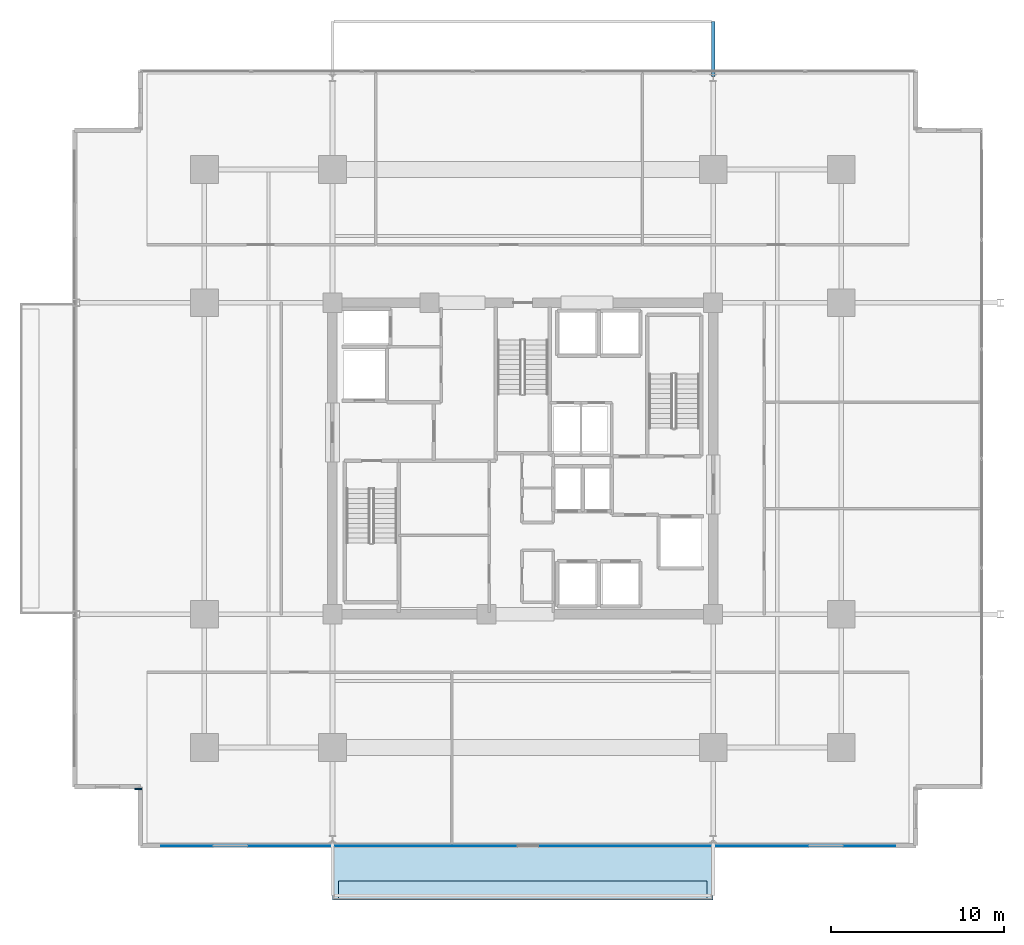
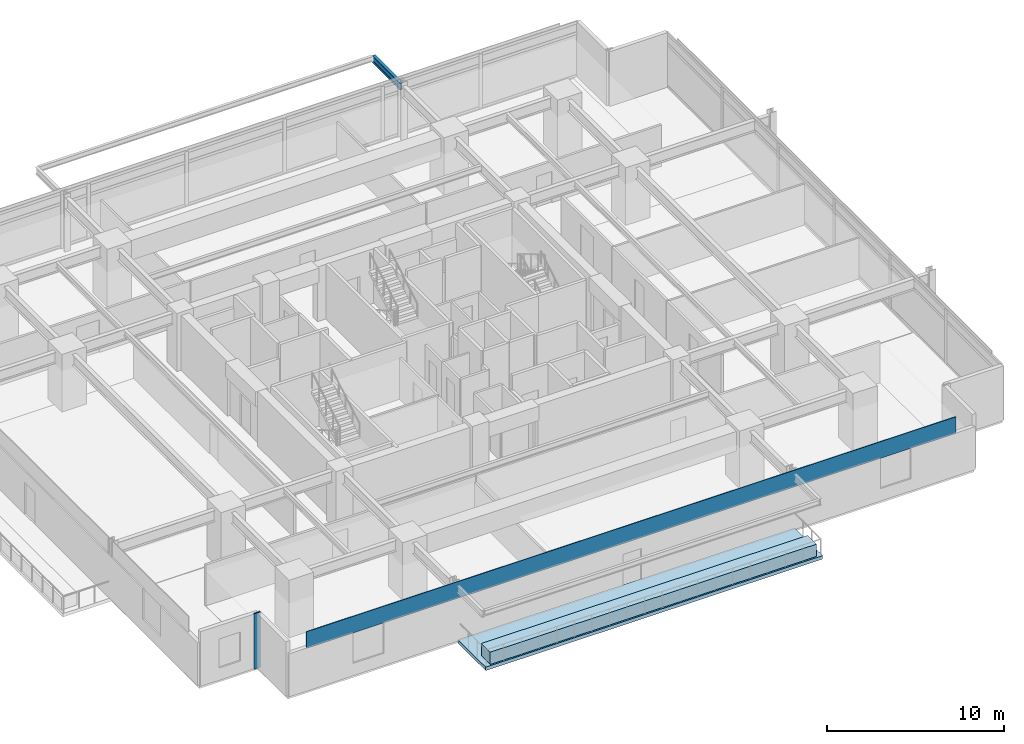
# One storey, part 13 of 24: 2 plates, 2 slabs, 1 beam.
"""IFC4 building model written with IfcOpenShell, lengths in metres."""

from ifc_helpers import new_model, si_unit, direction, frame, origin, origin_2d, place, context, subcontext, project, spatial, polyline, rectangle, i_section, outline, extrude, material, layer, layer_set, material_profile, profile_set, type_object, element, save


model = new_model("IFC4")

# Units and contexts
model_context = context("Model", 3, precision=1e-05, world=origin(), true_north=direction((0.0, 1.0)))
body_context = subcontext(model_context, "Body", "Model", "MODEL_VIEW")
ifc_project = project(units=[si_unit("LENGTHUNIT", "METRE"), si_unit("AREAUNIT", "SQUARE_METRE"), si_unit("VOLUMEUNIT", "CUBIC_METRE"), si_unit("PLANEANGLEUNIT", "RADIAN"), si_unit("MASSUNIT", "GRAM", prefix="KILO")], contexts=[model_context])

# Site, building, storey
site_placement = place(None, origin())
site = spatial("IfcSite", under=ifc_project, at=site_placement, CompositionType="ELEMENT")
building_placement = place(site_placement, origin())
building = spatial("IfcBuilding", under=site, at=building_placement, Name="Kovane Verandah Tower", CompositionType="ELEMENT")
storey_placement = place(building_placement, frame((0.0, 0.0, 144.39990234375)))
storey = spatial("IfcBuildingStorey", under=building, at=storey_placement, Name="L33", CompositionType="ELEMENT", Elevation=144.39990234375)

# Beam
ifc_material_1 = material(Name="Steel S355", Category="steel")
ifc_material_profile = material_profile(ifc_material_1, i_section(OverallWidth=0.19287109375, OverallDepth=0.46728515625, WebThickness=0.011474609375, FlangeThickness=0.01953125, FilletRadius=0.01025390625, at=origin_2d()), Name="UB457x191x98")
ifc_profile_set = profile_set([ifc_material_profile], Name="Steel S355")
beam_type = type_object("IfcBeamType", Name="JST-UB457x98", PredefinedType="JOIST", material=ifc_profile_set)
beam_placement = place(storey_placement, frame((51.0, 49.580078125, 3.526611328125), z_axis=(0.0, 1.0, 0.0), x_axis=(-1.0, 0.0, 0.0)))
element("IfcBeam", 1, at=beam_placement, inside=storey, type_object=beam_type, Name="L33 North Planter Girder 2", PredefinedType="JOIST", context=body_context, shape_type="SweptSolid", body=[
    extrude(i_section(OverallWidth=0.19287109375, OverallDepth=0.46728515625, WebThickness=0.011474609375, FlangeThickness=0.01953125, FilletRadius=0.01025390625, at=origin_2d()), origin(), (0.0, 0.0, 1.0), 3.173583984375),
])

# Plates
ifc_material_2 = material(Name="Timber-Toned Subtropical Aluminium Vertical Blade", Category="wood")
ifc_layer_1 = layer(ifc_material_2, 0.090087890625)
ifc_layer_set_1 = layer_set([ifc_layer_1], Name="Timber-Toned Subtropical Aluminium Vertical Blade")
plate_type_1 = type_object("IfcPlateType", Name="PL-FIN-90", PredefinedType="USERDEFINED", material=ifc_layer_set_1)
plate_1_placement = place(storey_placement, frame((17.77294921875, 8.405029296875, -0.019775390625), z_axis=(0.0, 0.0, 1.0), x_axis=(1.0, 0.0, 0.0)))
element("IfcPlate", 2, at=plate_1_placement, inside=storey, type_object=plate_type_1, Name="L33 SW Timber-Toned Vertical Corner Fin", ObjectType="FIN", PredefinedType="USERDEFINED", context=body_context, shape_type="SweptSolid", body=[
    extrude(rectangle(XDim=0.419921875, YDim=0.090087890625, at=origin_2d()), origin(), (0.0, 0.0, 1.0), 3.8349609375),
])
ifc_material_3 = material(Name="Perforated Pale Champagne Anodised Aluminium Solar Screen", Category="aluminium")
ifc_layer_2 = layer(ifc_material_3, 0.050048828125)
ifc_layer_set_2 = layer_set([ifc_layer_2], Name="Perforated Pale Champagne Anodised Aluminium Solar Screen")
plate_type_2 = type_object("IfcPlateType", Name="PL-SCREEN-50", PredefinedType="USERDEFINED", material=ifc_layer_set_2)
plate_2_placement = place(storey_placement, frame((40.303466796875, 5.110107421875, 2.875244140625), z_axis=(0.0, 0.0, 1.0), x_axis=(1.0, 0.0, 0.0)))
element("IfcPlate", 3, at=plate_2_placement, inside=storey, type_object=plate_type_2, Name="L33 S Perforated Champagne-Gold Solar Screen", ObjectType="SCREEN", PredefinedType="USERDEFINED", context=body_context, shape_type="SweptSolid", body=[
    extrude(rectangle(XDim=42.4208984375, YDim=0.050048828125, at=origin_2d()), origin(), (0.0, 0.0, 1.0), 1.14990234375),
])

# Slabs
ifc_material_4 = material(Name="Concrete C45/55", Category="concrete")
ifc_layer_3 = layer(ifc_material_4, 0.239990234375)
ifc_layer_set_3 = layer_set([ifc_layer_3], Name="Concrete C45/55")
slab_type_1 = type_object("IfcSlabType", Name="SL-BALC-240", PredefinedType="FLOOR", material=ifc_layer_set_3)
slab_1_placement = place(storey_placement, frame((0.0, 0.0, -0.239990234375)))
element("IfcSlab", 4, at=slab_1_placement, inside=storey, type_object=slab_type_1, Name="L33 S Planted Verandah Balcony Slab", PredefinedType="FLOOR", context=body_context, shape_type="SweptSolid", body=[
    extrude(outline(polyline([(29.0, 1.97509765625), (51.0, 1.97509765625), (51.0, 5.125), (29.0, 5.125), (29.0, 1.97509765625)])), origin(), (0.0, 0.0, 1.0), 0.239990234375),
])
ifc_material_5 = material(Name="Architectural Precast Concrete C45/55 Planter Trough", Category="concrete")
ifc_layer_4 = layer(ifc_material_5, 0.219970703125)
ifc_layer_set_4 = layer_set([ifc_layer_4], Name="Architectural Precast Concrete C45/55 Planter Trough")
slab_type_2 = type_object("IfcSlabType", Name="SL-PLANTER-220", PredefinedType="USERDEFINED", material=ifc_layer_set_4)
slab_2_placement = place(storey_placement, origin())
element("IfcSlab", 5, at=slab_2_placement, inside=storey, type_object=slab_type_2, Name="L33 S Structural Tree Planter", ObjectType="PLANTER", PredefinedType="USERDEFINED", context=body_context, shape_type="SweptSolid", body=[
    extrude(outline(polyline([(29.35009765625, 2.074951171875), (50.64990234375, 2.074951171875), (50.64990234375, 3.074951171875), (29.35009765625, 3.074951171875), (29.35009765625, 2.074951171875)])), origin(), (0.0, 0.0, 1.0), 0.85009765625),
])

save(model, "model.ifc")
